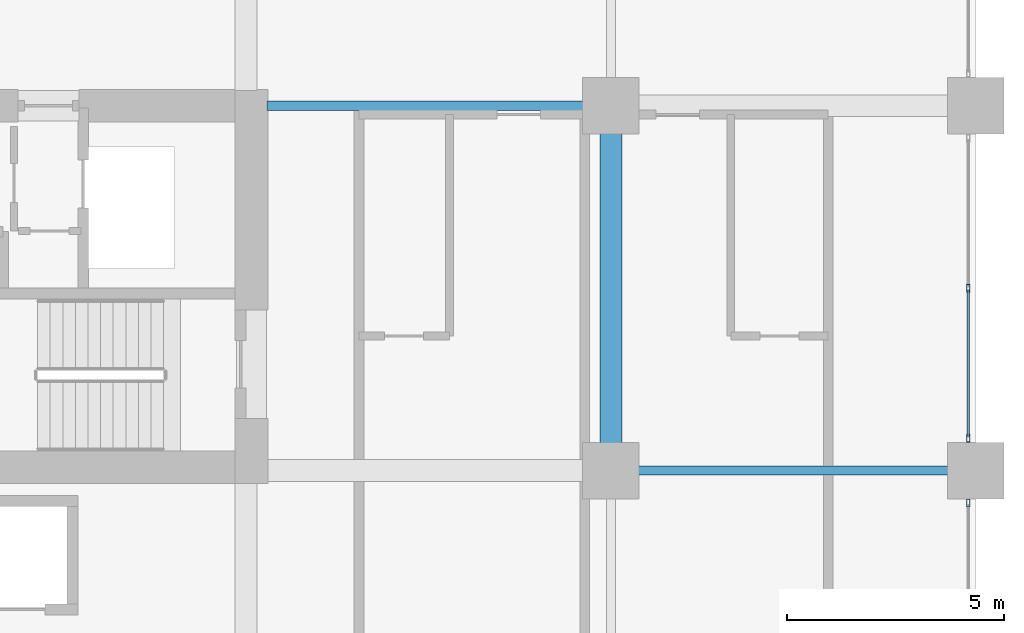
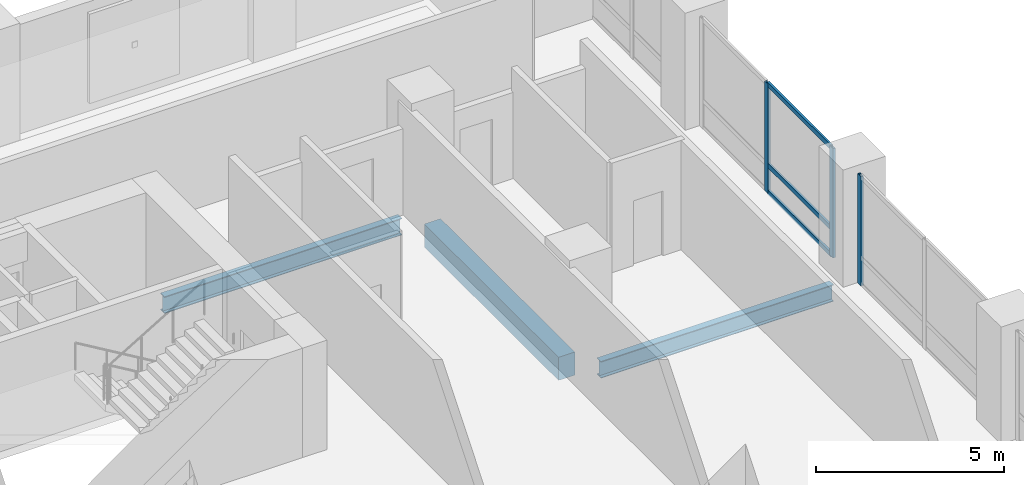
# One storey, part 5 of 23: 6 members, 3 beams, 2 elements without a shape of their own.
"""IFC4 building model written with IfcOpenShell, lengths in metres."""

from ifc_helpers import new_model, si_unit, direction, frame, origin, origin_2d, place, context, subcontext, project, spatial, rectangle, hollow_rectangle, i_section, extrude, material, layer, layer_set, material_profile, profile_set, type_object, element, aggregate, save


model = new_model("IFC4")

# Units and contexts
model_context = context("Model", 3, precision=1e-05, world=origin(), true_north=direction((0.0, 1.0)))
body_context = subcontext(model_context, "Body", "Model", "MODEL_VIEW")
ifc_project = project(units=[si_unit("LENGTHUNIT", "METRE"), si_unit("AREAUNIT", "SQUARE_METRE"), si_unit("VOLUMEUNIT", "CUBIC_METRE"), si_unit("PLANEANGLEUNIT", "RADIAN"), si_unit("MASSUNIT", "GRAM", prefix="KILO")], contexts=[model_context])

# Site, building, storey
site_placement = place(None, origin())
site = spatial("IfcSite", under=ifc_project, at=site_placement, CompositionType="ELEMENT")
building_placement = place(site_placement, origin())
building = spatial("IfcBuilding", under=site, at=building_placement, Name="Koriwani Terraces Tower", CompositionType="ELEMENT")
storey_placement = place(building_placement, frame((0.0, 0.0, 119.0)))
storey = spatial("IfcBuildingStorey", under=building, at=storey_placement, Name="L28", CompositionType="ELEMENT", Elevation=119.0)

# Beam
ifc_material_1 = material(Name="Concrete C50/60", Category="concrete")
ifc_material_profile_1 = material_profile(ifc_material_1, rectangle(XDim=0.5, YDim=0.75, at=origin_2d()), Name="Concrete C50/60", Category="LoadBearing")
ifc_profile_set_1 = profile_set([ifc_material_profile_1], Name="Concrete C50/60")
beam_type_1 = type_object("IfcBeamType", Name="BEAM_RC_GRID_500X750", PredefinedType="BEAM", material=ifc_profile_set_1)
beam_1_placement = place(storey_placement, frame((67.199951171875, 17.429931640625, -0.625), z_axis=(0.0, 1.0, 0.0), x_axis=(-1.0, 0.0, 0.0)))
element("IfcBeam", 1, at=beam_1_placement, inside=storey, type_object=beam_type_1, Name="L28 Grid Beam 9 (16.8-25.2m)", PredefinedType="BEAM", context=body_context, shape_type="SweptSolid", body=[
    extrude(rectangle(XDim=0.5, YDim=0.75, at=origin_2d()), origin(), (0.0, 0.0, 1.0), 7.14013671875),
])

# Curtain wall, members
ifc_material_2 = material(Name="Anodised Bronze Aluminium", Category="aluminium")
ifc_layer = layer(ifc_material_2, 0.179931640625, Name="Anodised Bronze Aluminium")
ifc_layer_set = layer_set([ifc_layer], Name="Anodised Bronze Aluminium")
curtain_wall_type = type_object("IfcCurtainWallType", Name="CW_HOTEL_ZONE2", PredefinedType="NOTDEFINED", material=ifc_layer_set)
curtain_wall_1_placement = place(storey_placement, origin())
curtain_wall_1 = element("IfcCurtainWall", 2, at=curtain_wall_1_placement, inside=storey, type_object=curtain_wall_type, Name="L28 Unitised Curtain Wall (E_TIP) Bay 2", PredefinedType="NOTDEFINED")
ifc_material_profile_2 = material_profile(ifc_material_2, hollow_rectangle(XDim=0.074951171875, YDim=0.179931640625, WallThickness=0.006103515625, at=origin_2d()), Name="Anodised Bronze Aluminium", Category="LoadBearing")
ifc_profile_set_2 = profile_set([ifc_material_profile_2], Name="Anodised Bronze Aluminium")
member_type_1 = type_object("IfcMemberType", Name="CW_MULLION_180X75", PredefinedType="MULLION", material=ifc_profile_set_2)
member_1_placement = place(storey_placement, frame((75.425048828125, 21.0, 0.0), z_axis=(0.0, 0.0, 1.0), x_axis=(1.0, 0.0, 0.0)))
member_1 = element("IfcMember", 3, at=member_1_placement, type_object=member_type_1, Name="CW-Z2 mullion 2", PredefinedType="MULLION", context=body_context, shape_type="SweptSolid", body=[
    extrude(hollow_rectangle(XDim=0.074951171875, YDim=0.179931640625, WallThickness=0.006103515625, at=origin_2d()), origin(), (0.0, 0.0, 1.0), 3.550048828125),
])
member_2_placement = place(storey_placement, frame((75.425048828125, 17.547607421875, 0.0), z_axis=(0.0, 0.0, 1.0), x_axis=(1.0, 0.0, 0.0)))
member_2 = element("IfcMember", 4, at=member_2_placement, type_object=member_type_1, Name="CW-Z2 mullion 3", PredefinedType="MULLION", context=body_context, shape_type="SweptSolid", body=[
    extrude(hollow_rectangle(XDim=0.074951171875, YDim=0.179931640625, WallThickness=0.006103515625, at=origin_2d()), origin(), (0.0, 0.0, 1.0), 3.550048828125),
])

# Curtain wall, member
curtain_wall_2_placement = place(storey_placement, origin())
curtain_wall_2 = element("IfcCurtainWall", 5, at=curtain_wall_2_placement, inside=storey, type_object=curtain_wall_type, Name="L28 Unitised Curtain Wall (E_TIP) Bay 3", PredefinedType="NOTDEFINED")
member_3_placement = place(storey_placement, frame((75.425048828125, 16.052490234375, 0.0), z_axis=(0.0, 0.0, 1.0), x_axis=(1.0, 0.0, 0.0)))
member_3 = element("IfcMember", 6, at=member_3_placement, type_object=member_type_1, Name="CW-Z2 mullion 1", PredefinedType="MULLION", context=body_context, shape_type="SweptSolid", body=[
    extrude(hollow_rectangle(XDim=0.074951171875, YDim=0.179931640625, WallThickness=0.006103515625, at=origin_2d()), origin(), (0.0, 0.0, 1.0), 3.550048828125),
])
aggregate(curtain_wall_2, [member_3])

# Member
ifc_material_profile_3 = material_profile(ifc_material_2, hollow_rectangle(XDim=0.06494140625, YDim=0.14990234375, WallThickness=0.0048828125, at=origin_2d()), Name="Anodised Bronze Aluminium", Category="LoadBearing")
ifc_profile_set_3 = profile_set([ifc_material_profile_3], Name="Anodised Bronze Aluminium")
member_type_2 = type_object("IfcMemberType", Name="CW_TRANSOM_150X65", PredefinedType="USERDEFINED", material=ifc_profile_set_3)
member_4_placement = place(storey_placement, frame((75.425048828125, 20.96240234375, 0.032470703125), z_axis=(0.0, -1.0, 0.0), x_axis=(1.0, 0.0, 0.0)))
member_4 = element("IfcMember", 7, at=member_4_placement, type_object=member_type_2, Name="CW-Z2 transom 2.1", ObjectType="TRANSOM", PredefinedType="USERDEFINED", context=body_context, shape_type="SweptSolid", body=[
    extrude(hollow_rectangle(XDim=0.06494140625, YDim=0.14990234375, WallThickness=0.0048828125, at=origin_2d()), origin(), (0.0, 0.0, 1.0), 3.37744140625),
])

member_5_placement = place(storey_placement, frame((75.425048828125, 20.96240234375, 0.89990234375), z_axis=(0.0, -1.0, 0.0), x_axis=(1.0, 0.0, 0.0)))
member_5 = element("IfcMember", 8, at=member_5_placement, type_object=member_type_2, Name="CW-Z2 transom 2.2", ObjectType="TRANSOM", PredefinedType="USERDEFINED", context=body_context, shape_type="SweptSolid", body=[
    extrude(hollow_rectangle(XDim=0.06494140625, YDim=0.14990234375, WallThickness=0.0048828125, at=origin_2d()), origin(), (0.0, 0.0, 1.0), 3.37744140625),
])

member_6_placement = place(storey_placement, frame((75.425048828125, 20.96240234375, 3.517578125), z_axis=(0.0, -1.0, 0.0), x_axis=(1.0, 0.0, 0.0)))
member_6 = element("IfcMember", 9, at=member_6_placement, type_object=member_type_2, Name="CW-Z2 transom 2.3", ObjectType="TRANSOM", PredefinedType="USERDEFINED", context=body_context, shape_type="SweptSolid", body=[
    extrude(hollow_rectangle(XDim=0.06494140625, YDim=0.14990234375, WallThickness=0.0048828125, at=origin_2d()), origin(), (0.0, 0.0, 1.0), 3.37744140625),
])

aggregate(curtain_wall_1, [member_1, member_2, member_4, member_5, member_6])

# Beams
ifc_material_3 = material(Name="Steel ASTM A572 Grade 50", Category="steel")
ifc_material_profile_4 = material_profile(ifc_material_3, i_section(OverallWidth=0.2119140625, OverallDepth=0.54296875, WebThickness=0.0126953125, FlangeThickness=0.021240234375, at=origin_2d()), Name="Steel ASTM A572 Grade 50", Category="LoadBearing")
ifc_profile_set_4 = profile_set([ifc_material_profile_4], Name="Steel ASTM A572 Grade 50")
beam_type_2 = type_object("IfcBeamType", Name="STEEL_BEAM_W530X150", PredefinedType="BEAM", material=ifc_profile_set_4)
beam_2_placement = place(storey_placement, frame((67.830078125, 16.800048828125, -0.521484375), z_axis=(1.0, 0.0, 0.0), x_axis=(0.0, 1.0, 0.0)))
element("IfcBeam", 10, at=beam_2_placement, inside=storey, type_object=beam_type_2, Name="L28 Grid Beam C (67.2-75.6m)", PredefinedType="BEAM", context=body_context, shape_type="SweptSolid", body=[
    extrude(i_section(OverallWidth=0.2119140625, OverallDepth=0.54296875, WebThickness=0.0126953125, FlangeThickness=0.021240234375, at=origin_2d()), origin(), (0.0, 0.0, 1.0), 7.139892578125),
])
beam_3_placement = place(storey_placement, frame((59.280029296875, 25.199951171875, -0.521484375), z_axis=(1.0, 0.0, 0.0), x_axis=(0.0, 1.0, 0.0)))
element("IfcBeam", 11, at=beam_3_placement, inside=storey, type_object=beam_type_2, Name="L28 Grid Beam D (58.8-67.2m)", PredefinedType="BEAM", context=body_context, shape_type="SweptSolid", body=[
    extrude(i_section(OverallWidth=0.2119140625, OverallDepth=0.54296875, WebThickness=0.0126953125, FlangeThickness=0.021240234375, at=origin_2d()), origin(), (0.0, 0.0, 1.0), 7.2900390625),
])

save(model, "model.ifc")
